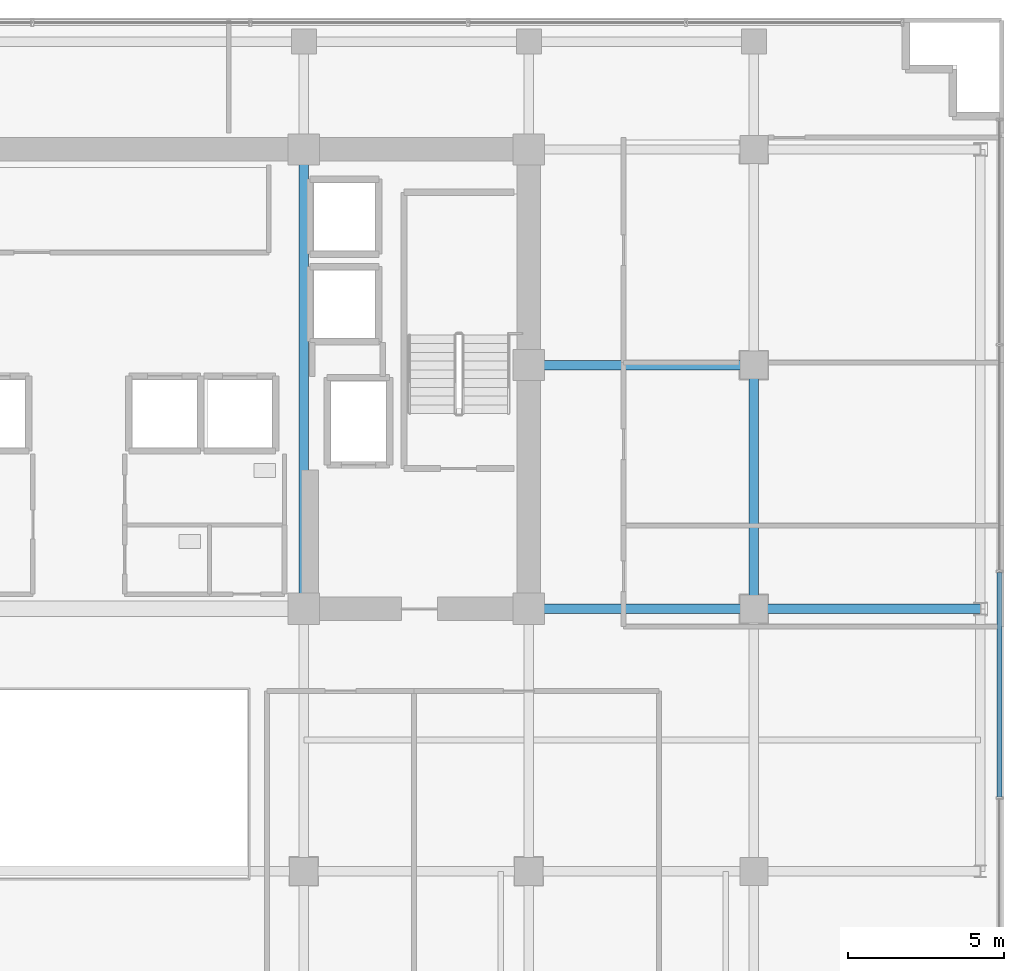
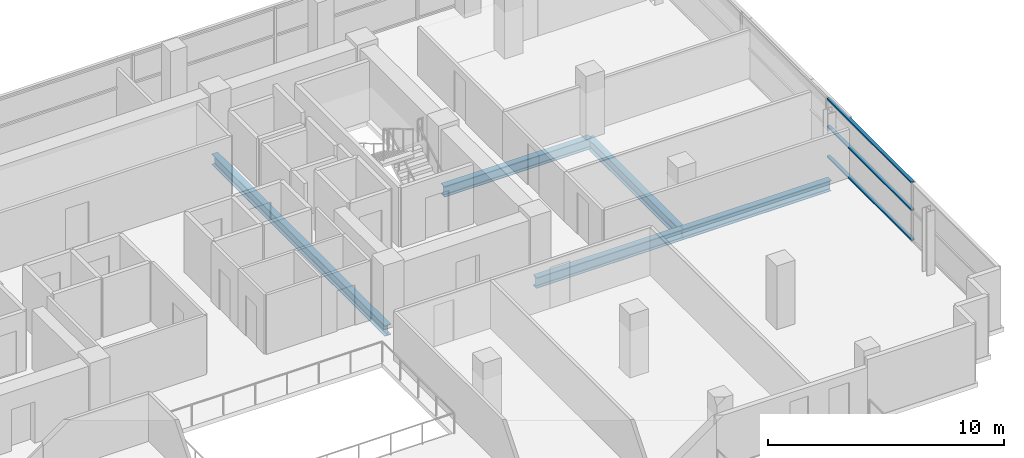
# One storey, part 8 of 23: 5 beams, 3 members, 1 element without a shape of its own.
"""IFC4 building model written with IfcOpenShell, lengths in metres."""

from ifc_helpers import new_model, si_unit, direction, frame, origin, origin_2d, place, context, subcontext, project, spatial, hollow_rectangle, i_section, extrude, source, transform, mapped, material, layer, layer_set, material_profile, profile_set, type_object, element, aggregate, save


model = new_model("IFC4")

# Units and contexts
model_context = context("Model", 3, precision=1e-05, world=origin(), true_north=direction((0.0, 1.0)))
body_context = subcontext(model_context, "Body", "Model", "MODEL_VIEW")
ifc_project = project(units=[si_unit("LENGTHUNIT", "METRE"), si_unit("AREAUNIT", "SQUARE_METRE"), si_unit("VOLUMEUNIT", "CUBIC_METRE"), si_unit("PLANEANGLEUNIT", "RADIAN"), si_unit("MASSUNIT", "GRAM", prefix="KILO")], contexts=[model_context])

# Site, building, storey
site_placement = place(None, origin())
site = spatial("IfcSite", under=ifc_project, at=site_placement, CompositionType="ELEMENT")
building_placement = place(site_placement, origin())
building = spatial("IfcBuilding", under=site, at=building_placement, Name="Zarnakvel Exchange Tower", CompositionType="ELEMENT")
storey_placement = place(building_placement, frame((0.0, 0.0, 129.699951171875)))
storey = spatial("IfcBuildingStorey", under=building, at=storey_placement, Name="L36", CompositionType="ELEMENT", Elevation=129.699951171875)

# Beams
ifc_material_1 = material(Name="Steel S355", Category="steel")
ifc_material_profile_1 = material_profile(ifc_material_1, i_section(OverallWidth=0.300048828125, OverallDepth=0.550048828125, WebThickness=0.014892578125, FlangeThickness=0.029052734375, FilletRadius=0.027099609375, at=origin_2d()))
ifc_profile_set_1 = profile_set([ifc_material_profile_1], Name="Steel S355")
beam_type = type_object("IfcBeamType", Name="G-05", PredefinedType="BEAM", material=ifc_profile_set_1)
beam_1_placement = place(storey_placement, frame((14.39990234375, -1.199951171875, -0.5), z_axis=(1.0, 0.0, 0.0), x_axis=(0.0, 1.0, 0.0)))
element("IfcBeam", 1, at=beam_1_placement, inside=storey, type_object=beam_type, Name="L36 Tower E-W Frame Beam", PredefinedType="BEAM", context=body_context, shape_type="SweptSolid", body=[
    extrude(i_section(OverallWidth=0.300048828125, OverallDepth=0.550048828125, WebThickness=0.014892578125, FlangeThickness=0.029052734375, FilletRadius=0.027099609375, at=origin_2d()), origin(), (0.0, 0.0, 1.0), 7.2001953125),
])
beam_2_placement = place(storey_placement, frame((21.60009765625, -1.199951171875, -0.5), z_axis=(1.0, 0.0, 0.0), x_axis=(0.0, 1.0, 0.0)))
element("IfcBeam", 2, at=beam_2_placement, inside=storey, type_object=beam_type, Name="L36 Tower E-W Frame Beam", PredefinedType="BEAM", context=body_context, shape_type="SweptSolid", body=[
    extrude(i_section(OverallWidth=0.300048828125, OverallDepth=0.550048828125, WebThickness=0.014892578125, FlangeThickness=0.029052734375, FilletRadius=0.027099609375, at=origin_2d()), origin(), (0.0, 0.0, 1.0), 7.25),
])
beam_3_placement = place(storey_placement, frame((14.39990234375, 6.60009765625, -0.5), z_axis=(1.0, 0.0, 0.0), x_axis=(0.0, 1.0, 0.0)))
element("IfcBeam", 3, at=beam_3_placement, inside=storey, type_object=beam_type, Name="L36 Tower E-W Frame Beam", PredefinedType="BEAM", context=body_context, shape_type="SweptSolid", body=[
    extrude(i_section(OverallWidth=0.300048828125, OverallDepth=0.550048828125, WebThickness=0.014892578125, FlangeThickness=0.029052734375, FilletRadius=0.027099609375, at=origin_2d()), origin(), (0.0, 0.0, 1.0), 7.2001953125),
])
beam_4_placement = place(storey_placement, frame((7.199951171875, -1.199951171875, -0.5), z_axis=(0.0, 1.0, 0.0), x_axis=(-1.0, 0.0, 0.0)))
element("IfcBeam", 4, at=beam_4_placement, inside=storey, type_object=beam_type, Name="L36 Tower N-S Frame Beam", PredefinedType="BEAM", context=body_context, shape_type="SweptSolid", body=[
    extrude(i_section(OverallWidth=0.300048828125, OverallDepth=0.550048828125, WebThickness=0.014892578125, FlangeThickness=0.029052734375, FilletRadius=0.027099609375, at=origin_2d()), origin(), (0.0, 0.0, 1.0), 14.699951171875),
])
beam_5_placement = place(storey_placement, frame((21.60009765625, -1.199951171875, -0.5), z_axis=(0.0, 1.0, 0.0), x_axis=(-1.0, 0.0, 0.0)))
element("IfcBeam", 5, at=beam_5_placement, inside=storey, type_object=beam_type, Name="L36 Tower N-S Frame Beam", PredefinedType="BEAM", context=body_context, shape_type="SweptSolid", body=[
    extrude(i_section(OverallWidth=0.300048828125, OverallDepth=0.550048828125, WebThickness=0.014892578125, FlangeThickness=0.029052734375, FilletRadius=0.027099609375, at=origin_2d()), origin(), (0.0, 0.0, 1.0), 7.800048828125),
])

# Curtain wall, members
ifc_material_2 = material(Name="Architectural Bronze Anodised Aluminium", Category="aluminium")
ifc_layer = layer(ifc_material_2, 0.199951171875)
ifc_layer_set = layer_set([ifc_layer], Name="Architectural Bronze Anodised Aluminium")
curtain_wall_type = type_object("IfcCurtainWallType", Name="CW-04", PredefinedType="NOTDEFINED", material=ifc_layer_set)
curtain_wall_placement = place(storey_placement, origin())
curtain_wall = element("IfcCurtainWall", 6, at=curtain_wall_placement, inside=storey, type_object=curtain_wall_type, Name="L36 Curtain Wall CW-L36-E1 (CW-04)", PredefinedType="NOTDEFINED")
ifc_material_profile_2 = material_profile(ifc_material_2, hollow_rectangle(XDim=0.159912109375, YDim=0.074951171875, WallThickness=0.00390625, at=origin_2d()))
ifc_profile_set_2 = profile_set([ifc_material_profile_2], Name="Architectural Bronze Anodised Aluminium")
member_type = type_object("IfcMemberType", Name="CWT-04", PredefinedType="USERDEFINED", material=ifc_profile_set_2)
shared_shape = source(origin(), body_context, "Body", "SweptSolid", [
    extrude(hollow_rectangle(XDim=0.159912109375, YDim=0.074951171875, WallThickness=0.00390625, at=origin_2d()), origin(), (0.0, 0.0, 1.0), 7.1748046875),
])
member_1_placement = place(storey_placement, frame((29.4599609375, -7.21240234375, 0.03759765625), z_axis=(0.0, 1.0, 0.0), x_axis=(-1.0, 0.0, 0.0)))
member_1 = element("IfcMember", 7, at=member_1_placement, type_object=member_type, Name="CW-04 transom 2.1", ObjectType="TRANSOM", PredefinedType="USERDEFINED", context=body_context, shape_type="MappedRepresentation", body=[
    mapped(shared_shape, transform((0.0, 0.0, 0.0), x_axis=(1.0, 0.0, 0.0), y_axis=(0.0, 1.0, 0.0), z_axis=(0.0, 0.0, 1.0), scale=1.0)),
])
member_2_placement = place(storey_placement, frame((29.4599609375, -7.21240234375, 1.588623046875), z_axis=(0.0, 1.0, 0.0), x_axis=(-1.0, 0.0, 0.0)))
member_2 = element("IfcMember", 8, at=member_2_placement, type_object=member_type, Name="CW-04 transom 2.2", ObjectType="TRANSOM", PredefinedType="USERDEFINED", context=body_context, shape_type="MappedRepresentation", body=[
    mapped(shared_shape, transform((0.0, 0.0, 0.0), x_axis=(1.0, 0.0, 0.0), y_axis=(0.0, 1.0, 0.0), z_axis=(0.0, 0.0, 1.0), scale=1.0)),
])
member_3_placement = place(storey_placement, frame((29.4599609375, -7.21240234375, 3.017578125), z_axis=(0.0, 1.0, 0.0), x_axis=(-1.0, 0.0, 0.0)))
member_3 = element("IfcMember", 9, at=member_3_placement, type_object=member_type, Name="CW-04 transom 2.3", ObjectType="TRANSOM", PredefinedType="USERDEFINED", context=body_context, shape_type="MappedRepresentation", body=[
    mapped(shared_shape, transform((0.0, 0.0, 0.0), x_axis=(1.0, 0.0, 0.0), y_axis=(0.0, 1.0, 0.0), z_axis=(0.0, 0.0, 1.0), scale=1.0)),
])
aggregate(curtain_wall, [member_1, member_2, member_3])

save(model, "model.ifc")
